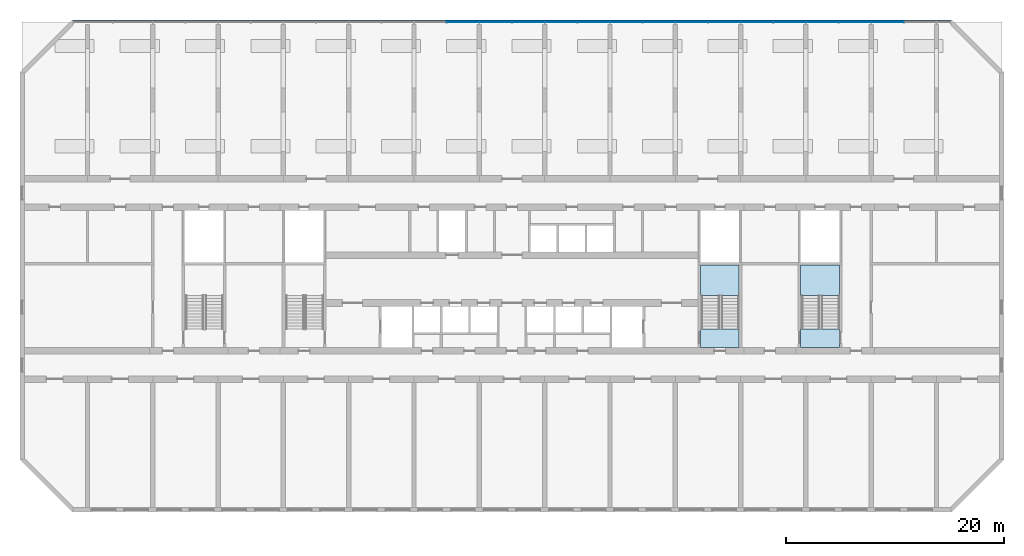
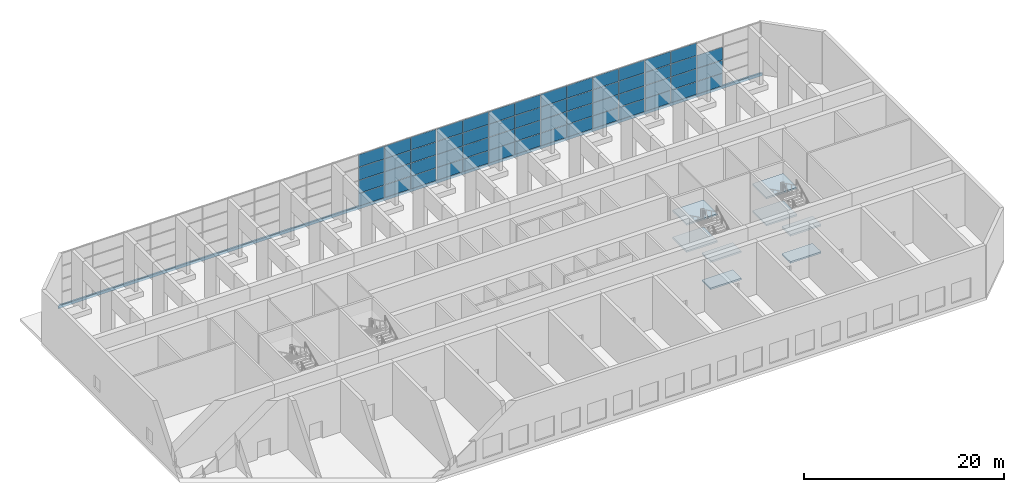
# One storey, part 5 of 15: 55 plates, 9 slabs, 6 elements without a shape of their own.
"""IFC4 building model written with IfcOpenShell, lengths in metres."""

from ifc_helpers import new_model, si_unit, direction, frame, origin, origin_2d, place, context, subcontext, project, spatial, polyline, rectangle, outline, extrude, source, transform, mapped, material, layer, layer_set, type_object, element, aggregate, save


model = new_model("IFC4")

# Units and contexts
model_context = context("Model", 3, precision=1e-05, world=origin(), true_north=direction((0.0, 1.0)))
body_context = subcontext(model_context, "Body", "Model", "MODEL_VIEW")
ifc_project = project(units=[si_unit("LENGTHUNIT", "METRE"), si_unit("AREAUNIT", "SQUARE_METRE"), si_unit("VOLUMEUNIT", "CUBIC_METRE"), si_unit("PLANEANGLEUNIT", "RADIAN"), si_unit("MASSUNIT", "GRAM", prefix="KILO")], contexts=[model_context])

# Site, building, storey
site_placement = place(None, origin())
site = spatial("IfcSite", under=ifc_project, at=site_placement, CompositionType="ELEMENT")
building_placement = place(site_placement, origin())
building = spatial("IfcBuilding", under=site, at=building_placement, Name="Poui Terraces", CompositionType="ELEMENT")
storey_placement = place(building_placement, frame((0.0, 0.0, 66.300048828125)))
storey = spatial("IfcBuildingStorey", under=building, at=storey_placement, Name="L18", CompositionType="ELEMENT", Elevation=66.300048828125)

# Curtain wall, plates
ifc_material_1 = material(Name="Clear glass", Category="glass")
ifc_layer_1 = layer(ifc_material_1, 0.159912109375)
ifc_layer_set_1 = layer_set([ifc_layer_1], Name="Clear glass")
curtain_wall_type = type_object("IfcCurtainWallType", Name="CURTAIN WALL CW-D SKY GARDEN GLAZING", PredefinedType="NOTDEFINED", material=ifc_layer_set_1)
curtain_wall_1_placement = place(storey_placement, origin())
curtain_wall_1 = element("IfcCurtainWall", 1, at=curtain_wall_1_placement, inside=storey, type_object=curtain_wall_type, Name="CW-D SKY GARDEN GLAZING", PredefinedType="NOTDEFINED")
ifc_layer_2 = layer(ifc_material_1, 0.052001953125)
ifc_layer_set_2 = layer_set([ifc_layer_2], Name="Clear glass")
plate_type = type_object("IfcPlateType", Name="CW-D GLASS PANEL 52", PredefinedType="CURTAIN_PANEL", material=ifc_layer_set_2)
plate_1_placement = place(storey_placement, frame((52.487548828125, 44.800048828125, 0.0498046875), z_axis=(0.0, 0.0, 1.0), x_axis=(-1.0, 0.0, 0.0)))
plate_1 = element("IfcPlate", 2, at=plate_1_placement, type_object=plate_type, Name="CW-D panel 1.1", PredefinedType="CURTAIN_PANEL", context=body_context, shape_type="SweptSolid", body=[
    extrude(rectangle(XDim=2.925048828125, YDim=0.052001953125, at=origin_2d()), origin(), (0.0, 0.0, 1.0), 1.514892578125),
])
plate_2_placement = place(storey_placement, frame((52.487548828125, 44.800048828125, 1.614990234375), z_axis=(0.0, 0.0, 1.0), x_axis=(-1.0, 0.0, 0.0)))
plate_2 = element("IfcPlate", 3, at=plate_2_placement, type_object=plate_type, Name="CW-D panel 1.2", PredefinedType="CURTAIN_PANEL", context=body_context, shape_type="SweptSolid", body=[
    extrude(rectangle(XDim=2.925048828125, YDim=0.052001953125, at=origin_2d()), origin(), (0.0, 0.0, 1.0), 1.5400390625),
])
plate_3_placement = place(storey_placement, frame((52.487548828125, 44.800048828125, 3.204833984375), z_axis=(0.0, 0.0, 1.0), x_axis=(-1.0, 0.0, 0.0)))
plate_3 = element("IfcPlate", 4, at=plate_3_placement, type_object=plate_type, Name="CW-D panel 1.3", PredefinedType="CURTAIN_PANEL", context=body_context, shape_type="SweptSolid", body=[
    extrude(rectangle(XDim=2.925048828125, YDim=0.052001953125, at=origin_2d()), origin(), (0.0, 0.0, 1.0), 1.5400390625),
])
plate_4_placement = place(storey_placement, frame((52.487548828125, 44.800048828125, 4.794921875), z_axis=(0.0, 0.0, 1.0), x_axis=(-1.0, 0.0, 0.0)))
plate_4 = element("IfcPlate", 5, at=plate_4_placement, type_object=plate_type, Name="CW-D panel 1.4", PredefinedType="CURTAIN_PANEL", context=body_context, shape_type="SweptSolid", body=[
    extrude(rectangle(XDim=2.925048828125, YDim=0.052001953125, at=origin_2d()), origin(), (0.0, 0.0, 1.0), 1.514892578125),
])
plate_5_placement = place(storey_placement, frame((49.5, 44.800048828125, 0.0498046875), z_axis=(0.0, 0.0, 1.0), x_axis=(-1.0, 0.0, 0.0)))
plate_5 = element("IfcPlate", 6, at=plate_5_placement, type_object=plate_type, Name="CW-D panel 2.1", PredefinedType="CURTAIN_PANEL", context=body_context, shape_type="SweptSolid", body=[
    extrude(rectangle(XDim=2.949951171875, YDim=0.052001953125, at=origin_2d()), origin(), (0.0, 0.0, 1.0), 1.514892578125),
])
plate_6_placement = place(storey_placement, frame((49.5, 44.800048828125, 1.614990234375), z_axis=(0.0, 0.0, 1.0), x_axis=(-1.0, 0.0, 0.0)))
plate_6 = element("IfcPlate", 7, at=plate_6_placement, type_object=plate_type, Name="CW-D panel 2.2", PredefinedType="CURTAIN_PANEL", context=body_context, shape_type="SweptSolid", body=[
    extrude(rectangle(XDim=2.949951171875, YDim=0.052001953125, at=origin_2d()), origin(), (0.0, 0.0, 1.0), 1.5400390625),
])
plate_7_placement = place(storey_placement, frame((49.5, 44.800048828125, 3.204833984375), z_axis=(0.0, 0.0, 1.0), x_axis=(-1.0, 0.0, 0.0)))
plate_7 = element("IfcPlate", 8, at=plate_7_placement, type_object=plate_type, Name="CW-D panel 2.3", PredefinedType="CURTAIN_PANEL", context=body_context, shape_type="SweptSolid", body=[
    extrude(rectangle(XDim=2.949951171875, YDim=0.052001953125, at=origin_2d()), origin(), (0.0, 0.0, 1.0), 1.5400390625),
])
plate_8_placement = place(storey_placement, frame((49.5, 44.800048828125, 4.794921875), z_axis=(0.0, 0.0, 1.0), x_axis=(-1.0, 0.0, 0.0)))
plate_8 = element("IfcPlate", 9, at=plate_8_placement, type_object=plate_type, Name="CW-D panel 2.4", PredefinedType="CURTAIN_PANEL", context=body_context, shape_type="SweptSolid", body=[
    extrude(rectangle(XDim=2.949951171875, YDim=0.052001953125, at=origin_2d()), origin(), (0.0, 0.0, 1.0), 1.514892578125),
])
plate_9_placement = place(storey_placement, frame((46.5, 44.800048828125, 0.0498046875), z_axis=(0.0, 0.0, 1.0), x_axis=(-1.0, 0.0, 0.0)))
plate_9 = element("IfcPlate", 10, at=plate_9_placement, type_object=plate_type, Name="CW-D panel 3.1", PredefinedType="CURTAIN_PANEL", context=body_context, shape_type="SweptSolid", body=[
    extrude(rectangle(XDim=2.949951171875, YDim=0.052001953125, at=origin_2d()), origin(), (0.0, 0.0, 1.0), 1.514892578125),
])
plate_10_placement = place(storey_placement, frame((46.5, 44.800048828125, 1.614990234375), z_axis=(0.0, 0.0, 1.0), x_axis=(-1.0, 0.0, 0.0)))
plate_10 = element("IfcPlate", 11, at=plate_10_placement, type_object=plate_type, Name="CW-D panel 3.2", PredefinedType="CURTAIN_PANEL", context=body_context, shape_type="SweptSolid", body=[
    extrude(rectangle(XDim=2.949951171875, YDim=0.052001953125, at=origin_2d()), origin(), (0.0, 0.0, 1.0), 1.5400390625),
])
plate_11_placement = place(storey_placement, frame((46.5, 44.800048828125, 3.204833984375), z_axis=(0.0, 0.0, 1.0), x_axis=(-1.0, 0.0, 0.0)))
plate_11 = element("IfcPlate", 12, at=plate_11_placement, type_object=plate_type, Name="CW-D panel 3.3", PredefinedType="CURTAIN_PANEL", context=body_context, shape_type="SweptSolid", body=[
    extrude(rectangle(XDim=2.949951171875, YDim=0.052001953125, at=origin_2d()), origin(), (0.0, 0.0, 1.0), 1.5400390625),
])
plate_12_placement = place(storey_placement, frame((46.5, 44.800048828125, 4.794921875), z_axis=(0.0, 0.0, 1.0), x_axis=(-1.0, 0.0, 0.0)))
plate_12 = element("IfcPlate", 13, at=plate_12_placement, type_object=plate_type, Name="CW-D panel 3.4", PredefinedType="CURTAIN_PANEL", context=body_context, shape_type="SweptSolid", body=[
    extrude(rectangle(XDim=2.949951171875, YDim=0.052001953125, at=origin_2d()), origin(), (0.0, 0.0, 1.0), 1.514892578125),
])
aggregate(curtain_wall_1, [plate_1, plate_2, plate_3, plate_4, plate_5, plate_6, plate_7, plate_8, plate_9, plate_10, plate_11, plate_12])

curtain_wall_2_placement = place(storey_placement, origin())
curtain_wall_2 = element("IfcCurtainWall", 14, at=curtain_wall_2_placement, inside=storey, type_object=curtain_wall_type, Name="CW-D SKY GARDEN GLAZING", PredefinedType="NOTDEFINED")
plate_13_placement = place(storey_placement, frame((64.487548828125, 44.800048828125, 0.0498046875), z_axis=(0.0, 0.0, 1.0), x_axis=(-1.0, 0.0, 0.0)))
plate_13 = element("IfcPlate", 15, at=plate_13_placement, type_object=plate_type, Name="CW-D panel 1.1", PredefinedType="CURTAIN_PANEL", context=body_context, shape_type="SweptSolid", body=[
    extrude(rectangle(XDim=2.925048828125, YDim=0.052001953125, at=origin_2d()), origin(), (0.0, 0.0, 1.0), 1.514892578125),
])
plate_14_placement = place(storey_placement, frame((64.487548828125, 44.800048828125, 1.614990234375), z_axis=(0.0, 0.0, 1.0), x_axis=(-1.0, 0.0, 0.0)))
plate_14 = element("IfcPlate", 16, at=plate_14_placement, type_object=plate_type, Name="CW-D panel 1.2", PredefinedType="CURTAIN_PANEL", context=body_context, shape_type="SweptSolid", body=[
    extrude(rectangle(XDim=2.925048828125, YDim=0.052001953125, at=origin_2d()), origin(), (0.0, 0.0, 1.0), 1.5400390625),
])
plate_15_placement = place(storey_placement, frame((64.487548828125, 44.800048828125, 3.204833984375), z_axis=(0.0, 0.0, 1.0), x_axis=(-1.0, 0.0, 0.0)))
plate_15 = element("IfcPlate", 17, at=plate_15_placement, type_object=plate_type, Name="CW-D panel 1.3", PredefinedType="CURTAIN_PANEL", context=body_context, shape_type="SweptSolid", body=[
    extrude(rectangle(XDim=2.925048828125, YDim=0.052001953125, at=origin_2d()), origin(), (0.0, 0.0, 1.0), 1.5400390625),
])
plate_16_placement = place(storey_placement, frame((64.487548828125, 44.800048828125, 4.794921875), z_axis=(0.0, 0.0, 1.0), x_axis=(-1.0, 0.0, 0.0)))
plate_16 = element("IfcPlate", 18, at=plate_16_placement, type_object=plate_type, Name="CW-D panel 1.4", PredefinedType="CURTAIN_PANEL", context=body_context, shape_type="SweptSolid", body=[
    extrude(rectangle(XDim=2.925048828125, YDim=0.052001953125, at=origin_2d()), origin(), (0.0, 0.0, 1.0), 1.514892578125),
])
plate_17_placement = place(storey_placement, frame((61.5, 44.800048828125, 0.0498046875), z_axis=(0.0, 0.0, 1.0), x_axis=(-1.0, 0.0, 0.0)))
plate_17 = element("IfcPlate", 19, at=plate_17_placement, type_object=plate_type, Name="CW-D panel 2.1", PredefinedType="CURTAIN_PANEL", context=body_context, shape_type="SweptSolid", body=[
    extrude(rectangle(XDim=2.949951171875, YDim=0.052001953125, at=origin_2d()), origin(), (0.0, 0.0, 1.0), 1.514892578125),
])
plate_18_placement = place(storey_placement, frame((61.5, 44.800048828125, 1.614990234375), z_axis=(0.0, 0.0, 1.0), x_axis=(-1.0, 0.0, 0.0)))
plate_18 = element("IfcPlate", 20, at=plate_18_placement, type_object=plate_type, Name="CW-D panel 2.2", PredefinedType="CURTAIN_PANEL", context=body_context, shape_type="SweptSolid", body=[
    extrude(rectangle(XDim=2.949951171875, YDim=0.052001953125, at=origin_2d()), origin(), (0.0, 0.0, 1.0), 1.5400390625),
])
plate_19_placement = place(storey_placement, frame((61.5, 44.800048828125, 3.204833984375), z_axis=(0.0, 0.0, 1.0), x_axis=(-1.0, 0.0, 0.0)))
plate_19 = element("IfcPlate", 21, at=plate_19_placement, type_object=plate_type, Name="CW-D panel 2.3", PredefinedType="CURTAIN_PANEL", context=body_context, shape_type="SweptSolid", body=[
    extrude(rectangle(XDim=2.949951171875, YDim=0.052001953125, at=origin_2d()), origin(), (0.0, 0.0, 1.0), 1.5400390625),
])
plate_20_placement = place(storey_placement, frame((61.5, 44.800048828125, 4.794921875), z_axis=(0.0, 0.0, 1.0), x_axis=(-1.0, 0.0, 0.0)))
plate_20 = element("IfcPlate", 22, at=plate_20_placement, type_object=plate_type, Name="CW-D panel 2.4", PredefinedType="CURTAIN_PANEL", context=body_context, shape_type="SweptSolid", body=[
    extrude(rectangle(XDim=2.949951171875, YDim=0.052001953125, at=origin_2d()), origin(), (0.0, 0.0, 1.0), 1.514892578125),
])
plate_21_placement = place(storey_placement, frame((58.5, 44.800048828125, 0.0498046875), z_axis=(0.0, 0.0, 1.0), x_axis=(-1.0, 0.0, 0.0)))
plate_21 = element("IfcPlate", 23, at=plate_21_placement, type_object=plate_type, Name="CW-D panel 3.1", PredefinedType="CURTAIN_PANEL", context=body_context, shape_type="SweptSolid", body=[
    extrude(rectangle(XDim=2.949951171875, YDim=0.052001953125, at=origin_2d()), origin(), (0.0, 0.0, 1.0), 1.514892578125),
])
plate_22_placement = place(storey_placement, frame((58.5, 44.800048828125, 1.614990234375), z_axis=(0.0, 0.0, 1.0), x_axis=(-1.0, 0.0, 0.0)))
plate_22 = element("IfcPlate", 24, at=plate_22_placement, type_object=plate_type, Name="CW-D panel 3.2", PredefinedType="CURTAIN_PANEL", context=body_context, shape_type="SweptSolid", body=[
    extrude(rectangle(XDim=2.949951171875, YDim=0.052001953125, at=origin_2d()), origin(), (0.0, 0.0, 1.0), 1.5400390625),
])
plate_23_placement = place(storey_placement, frame((58.5, 44.800048828125, 3.204833984375), z_axis=(0.0, 0.0, 1.0), x_axis=(-1.0, 0.0, 0.0)))
plate_23 = element("IfcPlate", 25, at=plate_23_placement, type_object=plate_type, Name="CW-D panel 3.3", PredefinedType="CURTAIN_PANEL", context=body_context, shape_type="SweptSolid", body=[
    extrude(rectangle(XDim=2.949951171875, YDim=0.052001953125, at=origin_2d()), origin(), (0.0, 0.0, 1.0), 1.5400390625),
])
plate_24_placement = place(storey_placement, frame((58.5, 44.800048828125, 4.794921875), z_axis=(0.0, 0.0, 1.0), x_axis=(-1.0, 0.0, 0.0)))
plate_24 = element("IfcPlate", 26, at=plate_24_placement, type_object=plate_type, Name="CW-D panel 3.4", PredefinedType="CURTAIN_PANEL", context=body_context, shape_type="SweptSolid", body=[
    extrude(rectangle(XDim=2.949951171875, YDim=0.052001953125, at=origin_2d()), origin(), (0.0, 0.0, 1.0), 1.514892578125),
])
plate_25_placement = place(storey_placement, frame((55.512451171875, 44.800048828125, 0.0498046875), z_axis=(0.0, 0.0, 1.0), x_axis=(-1.0, 0.0, 0.0)))
plate_25 = element("IfcPlate", 27, at=plate_25_placement, type_object=plate_type, Name="CW-D panel 4.1", PredefinedType="CURTAIN_PANEL", context=body_context, shape_type="SweptSolid", body=[
    extrude(rectangle(XDim=2.925048828125, YDim=0.052001953125, at=origin_2d()), origin(), (0.0, 0.0, 1.0), 1.514892578125),
])
plate_26_placement = place(storey_placement, frame((55.512451171875, 44.800048828125, 1.614990234375), z_axis=(0.0, 0.0, 1.0), x_axis=(-1.0, 0.0, 0.0)))
plate_26 = element("IfcPlate", 28, at=plate_26_placement, type_object=plate_type, Name="CW-D panel 4.2", PredefinedType="CURTAIN_PANEL", context=body_context, shape_type="SweptSolid", body=[
    extrude(rectangle(XDim=2.925048828125, YDim=0.052001953125, at=origin_2d()), origin(), (0.0, 0.0, 1.0), 1.5400390625),
])
plate_27_placement = place(storey_placement, frame((55.512451171875, 44.800048828125, 3.204833984375), z_axis=(0.0, 0.0, 1.0), x_axis=(-1.0, 0.0, 0.0)))
plate_27 = element("IfcPlate", 29, at=plate_27_placement, type_object=plate_type, Name="CW-D panel 4.3", PredefinedType="CURTAIN_PANEL", context=body_context, shape_type="SweptSolid", body=[
    extrude(rectangle(XDim=2.925048828125, YDim=0.052001953125, at=origin_2d()), origin(), (0.0, 0.0, 1.0), 1.5400390625),
])
plate_28_placement = place(storey_placement, frame((55.512451171875, 44.800048828125, 4.794921875), z_axis=(0.0, 0.0, 1.0), x_axis=(-1.0, 0.0, 0.0)))
plate_28 = element("IfcPlate", 30, at=plate_28_placement, type_object=plate_type, Name="CW-D panel 4.4", PredefinedType="CURTAIN_PANEL", context=body_context, shape_type="SweptSolid", body=[
    extrude(rectangle(XDim=2.925048828125, YDim=0.052001953125, at=origin_2d()), origin(), (0.0, 0.0, 1.0), 1.514892578125),
])
aggregate(curtain_wall_2, [plate_13, plate_14, plate_15, plate_16, plate_17, plate_18, plate_19, plate_20, plate_21, plate_22, plate_23, plate_24, plate_25, plate_26, plate_27, plate_28])

curtain_wall_3_placement = place(storey_placement, origin())
curtain_wall_3 = element("IfcCurtainWall", 31, at=curtain_wall_3_placement, inside=storey, type_object=curtain_wall_type, Name="CW-D SKY GARDEN GLAZING", PredefinedType="NOTDEFINED")
plate_29_placement = place(storey_placement, frame((76.487548828125, 44.800048828125, 0.0498046875), z_axis=(0.0, 0.0, 1.0), x_axis=(-1.0, 0.0, 0.0)))
plate_29 = element("IfcPlate", 32, at=plate_29_placement, type_object=plate_type, Name="CW-D panel 1.1", PredefinedType="CURTAIN_PANEL", context=body_context, shape_type="SweptSolid", body=[
    extrude(rectangle(XDim=2.925048828125, YDim=0.052001953125, at=origin_2d()), origin(), (0.0, 0.0, 1.0), 1.514892578125),
])
plate_30_placement = place(storey_placement, frame((76.487548828125, 44.800048828125, 1.614990234375), z_axis=(0.0, 0.0, 1.0), x_axis=(-1.0, 0.0, 0.0)))
plate_30 = element("IfcPlate", 33, at=plate_30_placement, type_object=plate_type, Name="CW-D panel 1.2", PredefinedType="CURTAIN_PANEL", context=body_context, shape_type="SweptSolid", body=[
    extrude(rectangle(XDim=2.925048828125, YDim=0.052001953125, at=origin_2d()), origin(), (0.0, 0.0, 1.0), 1.5400390625),
])
plate_31_placement = place(storey_placement, frame((76.487548828125, 44.800048828125, 3.204833984375), z_axis=(0.0, 0.0, 1.0), x_axis=(-1.0, 0.0, 0.0)))
plate_31 = element("IfcPlate", 34, at=plate_31_placement, type_object=plate_type, Name="CW-D panel 1.3", PredefinedType="CURTAIN_PANEL", context=body_context, shape_type="SweptSolid", body=[
    extrude(rectangle(XDim=2.925048828125, YDim=0.052001953125, at=origin_2d()), origin(), (0.0, 0.0, 1.0), 1.5400390625),
])
plate_32_placement = place(storey_placement, frame((76.487548828125, 44.800048828125, 4.794921875), z_axis=(0.0, 0.0, 1.0), x_axis=(-1.0, 0.0, 0.0)))
plate_32 = element("IfcPlate", 35, at=plate_32_placement, type_object=plate_type, Name="CW-D panel 1.4", PredefinedType="CURTAIN_PANEL", context=body_context, shape_type="SweptSolid", body=[
    extrude(rectangle(XDim=2.925048828125, YDim=0.052001953125, at=origin_2d()), origin(), (0.0, 0.0, 1.0), 1.514892578125),
])
plate_33_placement = place(storey_placement, frame((73.5, 44.800048828125, 0.0498046875), z_axis=(0.0, 0.0, 1.0), x_axis=(-1.0, 0.0, 0.0)))
plate_33 = element("IfcPlate", 36, at=plate_33_placement, type_object=plate_type, Name="CW-D panel 2.1", PredefinedType="CURTAIN_PANEL", context=body_context, shape_type="SweptSolid", body=[
    extrude(rectangle(XDim=2.949951171875, YDim=0.052001953125, at=origin_2d()), origin(), (0.0, 0.0, 1.0), 1.514892578125),
])
plate_34_placement = place(storey_placement, frame((73.5, 44.800048828125, 1.614990234375), z_axis=(0.0, 0.0, 1.0), x_axis=(-1.0, 0.0, 0.0)))
plate_34 = element("IfcPlate", 37, at=plate_34_placement, type_object=plate_type, Name="CW-D panel 2.2", PredefinedType="CURTAIN_PANEL", context=body_context, shape_type="SweptSolid", body=[
    extrude(rectangle(XDim=2.949951171875, YDim=0.052001953125, at=origin_2d()), origin(), (0.0, 0.0, 1.0), 1.5400390625),
])
plate_35_placement = place(storey_placement, frame((73.5, 44.800048828125, 3.204833984375), z_axis=(0.0, 0.0, 1.0), x_axis=(-1.0, 0.0, 0.0)))
plate_35 = element("IfcPlate", 38, at=plate_35_placement, type_object=plate_type, Name="CW-D panel 2.3", PredefinedType="CURTAIN_PANEL", context=body_context, shape_type="SweptSolid", body=[
    extrude(rectangle(XDim=2.949951171875, YDim=0.052001953125, at=origin_2d()), origin(), (0.0, 0.0, 1.0), 1.5400390625),
])
plate_36_placement = place(storey_placement, frame((73.5, 44.800048828125, 4.794921875), z_axis=(0.0, 0.0, 1.0), x_axis=(-1.0, 0.0, 0.0)))
plate_36 = element("IfcPlate", 39, at=plate_36_placement, type_object=plate_type, Name="CW-D panel 2.4", PredefinedType="CURTAIN_PANEL", context=body_context, shape_type="SweptSolid", body=[
    extrude(rectangle(XDim=2.949951171875, YDim=0.052001953125, at=origin_2d()), origin(), (0.0, 0.0, 1.0), 1.514892578125),
])
plate_37_placement = place(storey_placement, frame((70.5, 44.800048828125, 0.0498046875), z_axis=(0.0, 0.0, 1.0), x_axis=(-1.0, 0.0, 0.0)))
plate_37 = element("IfcPlate", 40, at=plate_37_placement, type_object=plate_type, Name="CW-D panel 3.1", PredefinedType="CURTAIN_PANEL", context=body_context, shape_type="SweptSolid", body=[
    extrude(rectangle(XDim=2.949951171875, YDim=0.052001953125, at=origin_2d()), origin(), (0.0, 0.0, 1.0), 1.514892578125),
])
plate_38_placement = place(storey_placement, frame((70.5, 44.800048828125, 1.614990234375), z_axis=(0.0, 0.0, 1.0), x_axis=(-1.0, 0.0, 0.0)))
plate_38 = element("IfcPlate", 41, at=plate_38_placement, type_object=plate_type, Name="CW-D panel 3.2", PredefinedType="CURTAIN_PANEL", context=body_context, shape_type="SweptSolid", body=[
    extrude(rectangle(XDim=2.949951171875, YDim=0.052001953125, at=origin_2d()), origin(), (0.0, 0.0, 1.0), 1.5400390625),
])
plate_39_placement = place(storey_placement, frame((70.5, 44.800048828125, 3.204833984375), z_axis=(0.0, 0.0, 1.0), x_axis=(-1.0, 0.0, 0.0)))
plate_39 = element("IfcPlate", 42, at=plate_39_placement, type_object=plate_type, Name="CW-D panel 3.3", PredefinedType="CURTAIN_PANEL", context=body_context, shape_type="SweptSolid", body=[
    extrude(rectangle(XDim=2.949951171875, YDim=0.052001953125, at=origin_2d()), origin(), (0.0, 0.0, 1.0), 1.5400390625),
])
plate_40_placement = place(storey_placement, frame((70.5, 44.800048828125, 4.794921875), z_axis=(0.0, 0.0, 1.0), x_axis=(-1.0, 0.0, 0.0)))
plate_40 = element("IfcPlate", 43, at=plate_40_placement, type_object=plate_type, Name="CW-D panel 3.4", PredefinedType="CURTAIN_PANEL", context=body_context, shape_type="SweptSolid", body=[
    extrude(rectangle(XDim=2.949951171875, YDim=0.052001953125, at=origin_2d()), origin(), (0.0, 0.0, 1.0), 1.514892578125),
])
plate_41_placement = place(storey_placement, frame((67.512451171875, 44.800048828125, 0.0498046875), z_axis=(0.0, 0.0, 1.0), x_axis=(-1.0, 0.0, 0.0)))
plate_41 = element("IfcPlate", 44, at=plate_41_placement, type_object=plate_type, Name="CW-D panel 4.1", PredefinedType="CURTAIN_PANEL", context=body_context, shape_type="SweptSolid", body=[
    extrude(rectangle(XDim=2.925048828125, YDim=0.052001953125, at=origin_2d()), origin(), (0.0, 0.0, 1.0), 1.514892578125),
])
plate_42_placement = place(storey_placement, frame((67.512451171875, 44.800048828125, 1.614990234375), z_axis=(0.0, 0.0, 1.0), x_axis=(-1.0, 0.0, 0.0)))
plate_42 = element("IfcPlate", 45, at=plate_42_placement, type_object=plate_type, Name="CW-D panel 4.2", PredefinedType="CURTAIN_PANEL", context=body_context, shape_type="SweptSolid", body=[
    extrude(rectangle(XDim=2.925048828125, YDim=0.052001953125, at=origin_2d()), origin(), (0.0, 0.0, 1.0), 1.5400390625),
])
plate_43_placement = place(storey_placement, frame((67.512451171875, 44.800048828125, 3.204833984375), z_axis=(0.0, 0.0, 1.0), x_axis=(-1.0, 0.0, 0.0)))
plate_43 = element("IfcPlate", 46, at=plate_43_placement, type_object=plate_type, Name="CW-D panel 4.3", PredefinedType="CURTAIN_PANEL", context=body_context, shape_type="SweptSolid", body=[
    extrude(rectangle(XDim=2.925048828125, YDim=0.052001953125, at=origin_2d()), origin(), (0.0, 0.0, 1.0), 1.5400390625),
])
plate_44_placement = place(storey_placement, frame((67.512451171875, 44.800048828125, 4.794921875), z_axis=(0.0, 0.0, 1.0), x_axis=(-1.0, 0.0, 0.0)))
plate_44 = element("IfcPlate", 47, at=plate_44_placement, type_object=plate_type, Name="CW-D panel 4.4", PredefinedType="CURTAIN_PANEL", context=body_context, shape_type="SweptSolid", body=[
    extrude(rectangle(XDim=2.925048828125, YDim=0.052001953125, at=origin_2d()), origin(), (0.0, 0.0, 1.0), 1.514892578125),
])
aggregate(curtain_wall_3, [plate_29, plate_30, plate_31, plate_32, plate_33, plate_34, plate_35, plate_36, plate_37, plate_38, plate_39, plate_40, plate_41, plate_42, plate_43, plate_44])

curtain_wall_4_placement = place(storey_placement, origin())
curtain_wall_4 = element("IfcCurtainWall", 48, at=curtain_wall_4_placement, inside=storey, type_object=curtain_wall_type, Name="CW-D SKY GARDEN GLAZING", PredefinedType="NOTDEFINED")
plate_45_placement = place(storey_placement, frame((85.5, 44.800048828125, 0.0498046875), z_axis=(0.0, 0.0, 1.0), x_axis=(-1.0, 0.0, 0.0)))
plate_45 = element("IfcPlate", 49, at=plate_45_placement, type_object=plate_type, Name="CW-D panel 2.1", PredefinedType="CURTAIN_PANEL", context=body_context, shape_type="SweptSolid", body=[
    extrude(rectangle(XDim=2.949951171875, YDim=0.052001953125, at=origin_2d()), origin(), (0.0, 0.0, 1.0), 1.514892578125),
])
plate_46_placement = place(storey_placement, frame((85.5, 44.800048828125, 1.614990234375), z_axis=(0.0, 0.0, 1.0), x_axis=(-1.0, 0.0, 0.0)))
plate_46 = element("IfcPlate", 50, at=plate_46_placement, type_object=plate_type, Name="CW-D panel 2.2", PredefinedType="CURTAIN_PANEL", context=body_context, shape_type="SweptSolid", body=[
    extrude(rectangle(XDim=2.949951171875, YDim=0.052001953125, at=origin_2d()), origin(), (0.0, 0.0, 1.0), 1.5400390625),
])
plate_47_placement = place(storey_placement, frame((85.5, 44.800048828125, 3.204833984375), z_axis=(0.0, 0.0, 1.0), x_axis=(-1.0, 0.0, 0.0)))
plate_47 = element("IfcPlate", 51, at=plate_47_placement, type_object=plate_type, Name="CW-D panel 2.3", PredefinedType="CURTAIN_PANEL", context=body_context, shape_type="SweptSolid", body=[
    extrude(rectangle(XDim=2.949951171875, YDim=0.052001953125, at=origin_2d()), origin(), (0.0, 0.0, 1.0), 1.5400390625),
])
plate_48_placement = place(storey_placement, frame((82.5, 44.800048828125, 0.0498046875), z_axis=(0.0, 0.0, 1.0), x_axis=(-1.0, 0.0, 0.0)))
plate_48 = element("IfcPlate", 52, at=plate_48_placement, type_object=plate_type, Name="CW-D panel 3.1", PredefinedType="CURTAIN_PANEL", context=body_context, shape_type="SweptSolid", body=[
    extrude(rectangle(XDim=2.949951171875, YDim=0.052001953125, at=origin_2d()), origin(), (0.0, 0.0, 1.0), 1.514892578125),
])
plate_49_placement = place(storey_placement, frame((82.5, 44.800048828125, 1.614990234375), z_axis=(0.0, 0.0, 1.0), x_axis=(-1.0, 0.0, 0.0)))
plate_49 = element("IfcPlate", 53, at=plate_49_placement, type_object=plate_type, Name="CW-D panel 3.2", PredefinedType="CURTAIN_PANEL", context=body_context, shape_type="SweptSolid", body=[
    extrude(rectangle(XDim=2.949951171875, YDim=0.052001953125, at=origin_2d()), origin(), (0.0, 0.0, 1.0), 1.5400390625),
])
plate_50_placement = place(storey_placement, frame((82.5, 44.800048828125, 3.204833984375), z_axis=(0.0, 0.0, 1.0), x_axis=(-1.0, 0.0, 0.0)))
plate_50 = element("IfcPlate", 54, at=plate_50_placement, type_object=plate_type, Name="CW-D panel 3.3", PredefinedType="CURTAIN_PANEL", context=body_context, shape_type="SweptSolid", body=[
    extrude(rectangle(XDim=2.949951171875, YDim=0.052001953125, at=origin_2d()), origin(), (0.0, 0.0, 1.0), 1.5400390625),
])
plate_51_placement = place(storey_placement, frame((82.5, 44.800048828125, 4.794921875), z_axis=(0.0, 0.0, 1.0), x_axis=(-1.0, 0.0, 0.0)))
plate_51 = element("IfcPlate", 55, at=plate_51_placement, type_object=plate_type, Name="CW-D panel 3.4", PredefinedType="CURTAIN_PANEL", context=body_context, shape_type="SweptSolid", body=[
    extrude(rectangle(XDim=2.949951171875, YDim=0.052001953125, at=origin_2d()), origin(), (0.0, 0.0, 1.0), 1.514892578125),
])
plate_52_placement = place(storey_placement, frame((79.512451171875, 44.800048828125, 0.0498046875), z_axis=(0.0, 0.0, 1.0), x_axis=(-1.0, 0.0, 0.0)))
plate_52 = element("IfcPlate", 56, at=plate_52_placement, type_object=plate_type, Name="CW-D panel 4.1", PredefinedType="CURTAIN_PANEL", context=body_context, shape_type="SweptSolid", body=[
    extrude(rectangle(XDim=2.925048828125, YDim=0.052001953125, at=origin_2d()), origin(), (0.0, 0.0, 1.0), 1.514892578125),
])
plate_53_placement = place(storey_placement, frame((79.512451171875, 44.800048828125, 1.614990234375), z_axis=(0.0, 0.0, 1.0), x_axis=(-1.0, 0.0, 0.0)))
plate_53 = element("IfcPlate", 57, at=plate_53_placement, type_object=plate_type, Name="CW-D panel 4.2", PredefinedType="CURTAIN_PANEL", context=body_context, shape_type="SweptSolid", body=[
    extrude(rectangle(XDim=2.925048828125, YDim=0.052001953125, at=origin_2d()), origin(), (0.0, 0.0, 1.0), 1.5400390625),
])
plate_54_placement = place(storey_placement, frame((79.512451171875, 44.800048828125, 3.204833984375), z_axis=(0.0, 0.0, 1.0), x_axis=(-1.0, 0.0, 0.0)))
plate_54 = element("IfcPlate", 58, at=plate_54_placement, type_object=plate_type, Name="CW-D panel 4.3", PredefinedType="CURTAIN_PANEL", context=body_context, shape_type="SweptSolid", body=[
    extrude(rectangle(XDim=2.925048828125, YDim=0.052001953125, at=origin_2d()), origin(), (0.0, 0.0, 1.0), 1.5400390625),
])
plate_55_placement = place(storey_placement, frame((79.512451171875, 44.800048828125, 4.794921875), z_axis=(0.0, 0.0, 1.0), x_axis=(-1.0, 0.0, 0.0)))
plate_55 = element("IfcPlate", 59, at=plate_55_placement, type_object=plate_type, Name="CW-D panel 4.4", PredefinedType="CURTAIN_PANEL", context=body_context, shape_type="SweptSolid", body=[
    extrude(rectangle(XDim=2.925048828125, YDim=0.052001953125, at=origin_2d()), origin(), (0.0, 0.0, 1.0), 1.514892578125),
])
aggregate(curtain_wall_4, [plate_45, plate_46, plate_47, plate_48, plate_49, plate_50, plate_51, plate_52, plate_53, plate_54, plate_55])

# Stair, slabs
ifc_material_2 = material(Name="Concrete 80 MPa", Category="concrete")
stair_type = type_object("IfcStairType", Name="EXIT STAIR 1650 80 MPA", PredefinedType="HALF_TURN_STAIR", material=ifc_material_2)
stair_1_placement = place(storey_placement, origin())
stair_1 = element("IfcStair", 60, at=stair_1_placement, inside=storey, type_object=stair_type, Name="L18 CORE STAIR EAST", PredefinedType="HALF_TURN_STAIR")
ifc_layer_3 = layer(ifc_material_2, 0.199951171875)
ifc_layer_set_3 = layer_set([ifc_layer_3], Name="Concrete 80 MPa")
slab_type_1 = type_object("IfcSlabType", Name="STAIR LANDING 200 80 MPA", PredefinedType="LANDING", material=ifc_layer_set_3)
slab_1_placement = place(storey_placement, frame((0.0, 0.0, 1.449951171875)))
slab_1 = element("IfcSlab", 61, at=slab_1_placement, type_object=slab_type_1, Name="ST-CE landing 1", PredefinedType="LANDING", context=body_context, shape_type="SweptSolid", body=[
    extrude(outline(polyline([(68.324951171875, 19.679931640625), (71.875, 19.679931640625), (71.875, 22.47509765625), (68.324951171875, 22.47509765625), (68.324951171875, 19.679931640625)])), origin(), (0.0, 0.0, 1.0), 0.199951171875),
])
slab_2_placement = place(storey_placement, frame((0.0, 0.0, 3.099853515625)))
slab_2 = element("IfcSlab", 62, at=slab_2_placement, type_object=slab_type_1, Name="ST-CE landing 2", PredefinedType="LANDING", context=body_context, shape_type="SweptSolid", body=[
    extrude(outline(polyline([(68.324951171875, 14.89990234375), (71.875, 14.89990234375), (71.875, 16.60009765625), (68.324951171875, 16.60009765625), (68.324951171875, 14.89990234375)])), origin(), (0.0, 0.0, 1.0), 0.2001953125),
])
slab_3_placement = place(storey_placement, frame((0.0, 0.0, 4.749755859375)))
slab_3 = element("IfcSlab", 63, at=slab_3_placement, type_object=slab_type_1, Name="ST-CE landing 3", PredefinedType="LANDING", context=body_context, shape_type="SweptSolid", body=[
    extrude(outline(polyline([(68.324951171875, 19.679931640625), (71.875, 19.679931640625), (71.875, 22.47509765625), (68.324951171875, 22.47509765625), (68.324951171875, 19.679931640625)])), origin(), (0.0, 0.0, 1.0), 0.2001953125),
])
slab_4_placement = place(storey_placement, frame((0.0, 0.0, -0.2001953125)))
slab_4 = element("IfcSlab", 64, at=slab_4_placement, type_object=slab_type_1, Name="ST-CE landing 4", PredefinedType="LANDING", context=body_context, shape_type="SweptSolid", body=[
    extrude(outline(polyline([(68.324951171875, 14.89990234375), (71.875, 14.89990234375), (71.875, 16.60009765625), (68.324951171875, 16.60009765625), (68.324951171875, 14.89990234375)])), origin(), (0.0, 0.0, 1.0), 0.2001953125),
])
aggregate(stair_1, [slab_1, slab_2, slab_3, slab_4])

stair_2_placement = place(storey_placement, origin())
stair_2 = element("IfcStair", 65, at=stair_2_placement, inside=storey, type_object=stair_type, Name="L18 TIP STAIR EAST", PredefinedType="HALF_TURN_STAIR")
slab_5_placement = place(storey_placement, frame((0.0, 0.0, 1.449951171875)))
slab_5 = element("IfcSlab", 66, at=slab_5_placement, type_object=slab_type_1, Name="ST-E landing 1", PredefinedType="LANDING", context=body_context, shape_type="SweptSolid", body=[
    extrude(outline(polyline([(77.52490234375, 19.679931640625), (81.074951171875, 19.679931640625), (81.074951171875, 22.47509765625), (77.52490234375, 22.47509765625), (77.52490234375, 19.679931640625)])), origin(), (0.0, 0.0, 1.0), 0.199951171875),
])
slab_6_placement = place(storey_placement, frame((0.0, 0.0, 3.099853515625)))
slab_6 = element("IfcSlab", 67, at=slab_6_placement, type_object=slab_type_1, Name="ST-E landing 2", PredefinedType="LANDING", context=body_context, shape_type="SweptSolid", body=[
    extrude(outline(polyline([(77.52490234375, 14.89990234375), (81.074951171875, 14.89990234375), (81.074951171875, 16.60009765625), (77.52490234375, 16.60009765625), (77.52490234375, 14.89990234375)])), origin(), (0.0, 0.0, 1.0), 0.2001953125),
])
slab_7_placement = place(storey_placement, frame((0.0, 0.0, 4.749755859375)))
slab_7 = element("IfcSlab", 68, at=slab_7_placement, type_object=slab_type_1, Name="ST-E landing 3", PredefinedType="LANDING", context=body_context, shape_type="SweptSolid", body=[
    extrude(outline(polyline([(77.52490234375, 19.679931640625), (81.074951171875, 19.679931640625), (81.074951171875, 22.47509765625), (77.52490234375, 22.47509765625), (77.52490234375, 19.679931640625)])), origin(), (0.0, 0.0, 1.0), 0.2001953125),
])
slab_8_placement = place(storey_placement, frame((0.0, 0.0, -0.2001953125)))
slab_8 = element("IfcSlab", 69, at=slab_8_placement, type_object=slab_type_1, Name="ST-E landing 4", PredefinedType="LANDING", context=body_context, shape_type="SweptSolid", body=[
    extrude(outline(polyline([(77.52490234375, 14.89990234375), (81.074951171875, 14.89990234375), (81.074951171875, 16.60009765625), (77.52490234375, 16.60009765625), (77.52490234375, 14.89990234375)])), origin(), (0.0, 0.0, 1.0), 0.2001953125),
])
aggregate(stair_2, [slab_5, slab_6, slab_7, slab_8])

# Slab
ifc_material_3 = material(Name="Concrete 40 MPa", Category="concrete")
ifc_layer_4 = layer(ifc_material_3, 0.35009765625)
ifc_layer_set_4 = layer_set([ifc_layer_4], Name="Concrete 40 MPa")
slab_type_2 = type_object("IfcSlabType", Name="FLOOR SLAB 350", PredefinedType="FLOOR", material=ifc_layer_set_4)
shared_shape = source(origin(), body_context, "Body", "SweptSolid", [
    extrude(outline(polyline([(0.0, 0.0), (-80.7998046875, 0.0), (-81.0, -0.199951171875), (0.2001953125, -0.199951171875), (0.0, 0.0)])), origin(), (0.0, 0.0, 1.0), 0.35009765625),
])
slab_9_placement = place(storey_placement, frame((91.39990234375, 45.0, -0.35009765625)))
element("IfcSlab", 70, at=slab_9_placement, inside=storey, type_object=slab_type_2, Name="FLOOR SLAB", PredefinedType="FLOOR", context=body_context, shape_type="MappedRepresentation", body=[
    mapped(shared_shape, transform((0.0, 0.0, 0.0))),
])

save(model, "model.ifc")
